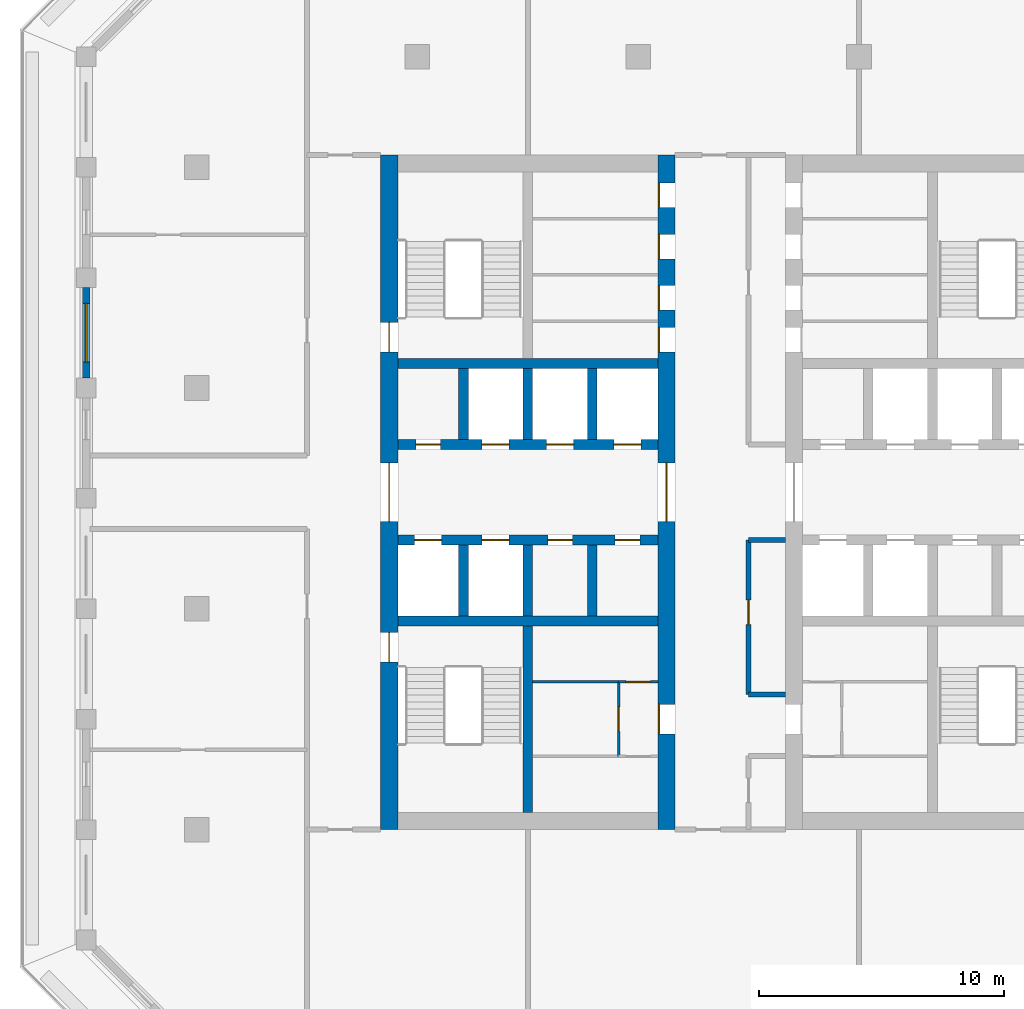
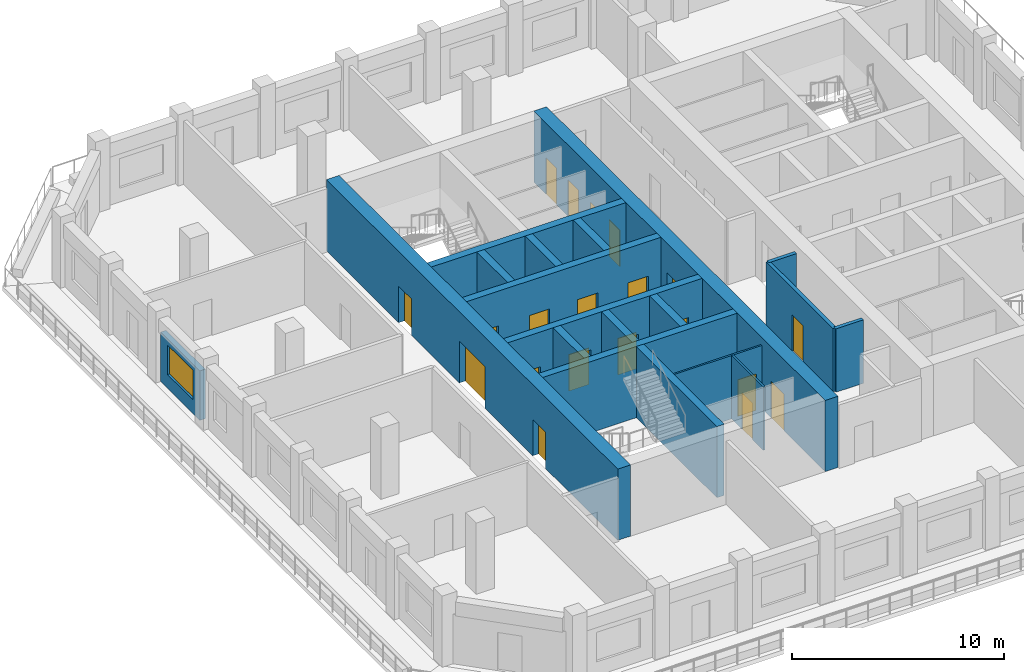
# One storey, part 3 of 14: 20 doors, 20 walls, 1 window, 21 openings.
"""IFC4 building model written with IfcOpenShell, lengths in metres."""

from ifc_helpers import new_model, si_unit, direction, frame, frame_2d, origin, place, context, subcontext, project, spatial, rectangle, extrude, material, layer, layer_set, type_object, element, fill, save


model = new_model("IFC4")

# Units and contexts
model_context = context("Model", 3, precision=1e-05, world=origin(), true_north=direction((0.0, 1.0)))
body_context = subcontext(model_context, "Body", "Model", "MODEL_VIEW")
ifc_project = project(units=[si_unit("LENGTHUNIT", "METRE"), si_unit("AREAUNIT", "SQUARE_METRE"), si_unit("VOLUMEUNIT", "CUBIC_METRE"), si_unit("PLANEANGLEUNIT", "RADIAN"), si_unit("MASSUNIT", "GRAM", prefix="KILO")], contexts=[model_context])

# Site, building, storey
site_placement = place(None, origin())
site = spatial("IfcSite", under=ifc_project, at=site_placement, CompositionType="ELEMENT")
building_placement = place(site_placement, origin())
building = spatial("IfcBuilding", under=site, at=building_placement, Name="Corbel Stack Research Tower", CompositionType="ELEMENT")
storey_placement = place(building_placement, frame((0.0, 0.0, 270.39990234375)))
storey = spatial("IfcBuildingStorey", under=building, at=storey_placement, Name="L61", CompositionType="ELEMENT", Elevation=270.39990234375)

# Wall
ifc_material_1 = material(Name="Concrete C60/75", Category="concrete")
ifc_layer_1 = layer(ifc_material_1, 0.39990234375)
ifc_layer_set_1 = layer_set([ifc_layer_1], Name="Concrete C60/75")
wall_type_1 = type_object("IfcWallType", Name="CW-400-60", PredefinedType="SHEAR", material=ifc_layer_set_1)
wall_1_placement = place(storey_placement, frame((-9.800048828125, -0.5, 0.0), z_axis=(0.0, 0.0, 1.0), x_axis=(1.0, 0.0, 0.0)))
element("IfcWall", 1, at=wall_1_placement, inside=storey, type_object=wall_type_1, Name="West core wall, south row back L61", PredefinedType="SHEAR", context=body_context, shape_type="SweptSolid", body=[
    extrude(rectangle(XDim=10.60009765625, YDim=0.39990234375, at=frame_2d((5.300048828125, 0.0))), origin(), (0.0, 0.0, 1.0), 4.10009765625),
])

# Wall, openings, doors
wall_2_placement = place(storey_placement, frame((-9.800048828125, 2.800048828125, 0.0), z_axis=(0.0, 0.0, 1.0), x_axis=(1.0, 0.0, 0.0)))
wall_2 = element("IfcWall", 2, at=wall_2_placement, inside=storey, type_object=wall_type_1, Name="West core wall, lobby south L61", PredefinedType="SHEAR", context=body_context, shape_type="SweptSolid", body=[
    extrude(rectangle(XDim=10.60009765625, YDim=0.39990234375, at=frame_2d((5.300048828125, 0.0))), origin(), (0.0, 0.0, 1.0), 4.10009765625),
])
opening_1_placement = place(wall_2_placement, frame((0.6875, 0.0, 0.0)))
opening_1 = element("IfcOpeningElement", 3, at=opening_1_placement, cuts=wall_2, Name="Opening LD-FS1", PredefinedType="OPENING", context=body_context, shape_type="SweptSolid", body=[
    extrude(rectangle(XDim=1.10009765625, YDim=2.10009765625, at=frame_2d((0.550048828125, 1.050048828125))), frame((0.0, 0.2099609375, 0.0), z_axis=(0.0, -1.0, 0.0), x_axis=(1.0, 0.0, 0.0)), (0.0, 0.0, 1.0), 0.419921875),
])
opening_2_placement = place(wall_2_placement, frame((3.4375, 0.0, 0.0)))
opening_2 = element("IfcOpeningElement", 4, at=opening_2_placement, cuts=wall_2, Name="Opening LD-GL1", PredefinedType="OPENING", context=body_context, shape_type="SweptSolid", body=[
    extrude(rectangle(XDim=1.10009765625, YDim=2.10009765625, at=frame_2d((0.550048828125, 1.050048828125))), frame((0.0, 0.2099609375, 0.0), z_axis=(0.0, -1.0, 0.0), x_axis=(1.0, 0.0, 0.0)), (0.0, 0.0, 1.0), 0.419921875),
])
opening_3_placement = place(wall_2_placement, frame((6.112548828125, 0.0, 0.0)))
opening_3 = element("IfcOpeningElement", 5, at=opening_3_placement, cuts=wall_2, Name="Opening CR-W36-S3", PredefinedType="OPENING", context=body_context, shape_type="SweptSolid", body=[
    extrude(rectangle(XDim=1.0, YDim=2.10009765625, at=frame_2d((0.5, 1.050048828125))), frame((0.0, 0.2099609375, 0.0), z_axis=(0.0, -1.0, 0.0), x_axis=(1.0, 0.0, 0.0)), (0.0, 0.0, 1.0), 0.419921875),
])
opening_4_placement = place(wall_2_placement, frame((8.862548828125, 0.0, 0.0)))
opening_4 = element("IfcOpeningElement", 6, at=opening_4_placement, cuts=wall_2, Name="Opening CR-W36-S4", PredefinedType="OPENING", context=body_context, shape_type="SweptSolid", body=[
    extrude(rectangle(XDim=1.0, YDim=2.10009765625, at=frame_2d((0.5, 1.050048828125))), frame((0.0, 0.2099609375, 0.0), z_axis=(0.0, -1.0, 0.0), x_axis=(1.0, 0.0, 0.0)), (0.0, 0.0, 1.0), 0.419921875),
])
ifc_material_2 = material(Name="Stainless steel landing door", Category="steel")
door_type_1 = type_object("IfcDoorType", Name="Lift landing door 1100 x 2100", OperationType="DOUBLE_DOOR_SLIDING", PredefinedType="DOOR", material=ifc_material_2)
door_1_placement = place(opening_1_placement, origin())
door_1 = element("IfcDoor", 7, at=door_1_placement, inside=storey, type_object=door_type_1, Name="Landing door FS1", OperationType="DOUBLE_DOOR_SLIDING", OverallHeight=2.10009765625, OverallWidth=1.10009765625, PredefinedType="DOOR", context=body_context, shape_type="SweptSolid", body=[
    extrude(rectangle(XDim=1.10009765625, YDim=2.10009765625, at=frame_2d((0.550048828125, 1.050048828125))), frame((0.0, 0.02490234375, 0.0), z_axis=(0.0, -1.0, 0.0), x_axis=(1.0, 0.0, 0.0)), (0.0, 0.0, 1.0), 0.050048828125),
])
fill(opening_1, door_1)
door_2_placement = place(opening_2_placement, origin())
door_2 = element("IfcDoor", 8, at=door_2_placement, inside=storey, type_object=door_type_1, Name="Landing door GL1", OperationType="DOUBLE_DOOR_SLIDING", OverallHeight=2.10009765625, OverallWidth=1.10009765625, PredefinedType="DOOR", context=body_context, shape_type="SweptSolid", body=[
    extrude(rectangle(XDim=1.10009765625, YDim=2.10009765625, at=frame_2d((0.550048828125, 1.050048828125))), frame((0.0, 0.02490234375, 0.0), z_axis=(0.0, -1.0, 0.0), x_axis=(1.0, 0.0, 0.0)), (0.0, 0.0, 1.0), 0.050048828125),
])
fill(opening_2, door_2)
ifc_material_3 = material(Name="Painted steel door", Category="steel")
door_type_2 = type_object("IfcDoorType", Name="Service door 1000 x 2100 FD60 left hand", OperationType="SINGLE_SWING_LEFT", PredefinedType="DOOR", material=ifc_material_3)
door_3_placement = place(opening_3_placement, origin())
door_3 = element("IfcDoor", 9, at=door_3_placement, inside=storey, type_object=door_type_2, Name="Staff WC door W core", OperationType="SINGLE_SWING_LEFT", OverallHeight=2.10009765625, OverallWidth=1.0, PredefinedType="DOOR", context=body_context, shape_type="SweptSolid", body=[
    extrude(rectangle(XDim=1.0, YDim=2.10009765625, at=frame_2d((0.5, 1.050048828125))), frame((0.0, 0.02490234375, 0.0), z_axis=(0.0, -1.0, 0.0), x_axis=(1.0, 0.0, 0.0)), (0.0, 0.0, 1.0), 0.050048828125),
])
fill(opening_3, door_3)
ifc_material_4 = material(Name="Painted steel door", Category="steel")
door_type_3 = type_object("IfcDoorType", Name="Service door 1000 x 2100 FD60 right hand", OperationType="SINGLE_SWING_RIGHT", PredefinedType="DOOR", material=ifc_material_4)
door_4_placement = place(opening_4_placement, origin())
door_4 = element("IfcDoor", 10, at=door_4_placement, inside=storey, type_object=door_type_3, Name="Laboratory consumables store door W core", OperationType="SINGLE_SWING_RIGHT", OverallHeight=2.10009765625, OverallWidth=1.0, PredefinedType="DOOR", context=body_context, shape_type="SweptSolid", body=[
    extrude(rectangle(XDim=1.0, YDim=2.10009765625, at=frame_2d((0.5, 1.050048828125))), frame((0.0, 0.02490234375, 0.0), z_axis=(0.0, -1.0, 0.0), x_axis=(1.0, 0.0, 0.0)), (0.0, 0.0, 1.0), 0.050048828125),
])
fill(opening_4, door_4)

wall_3_placement = place(storey_placement, frame((-9.800048828125, 6.699951171875, 0.0), z_axis=(0.0, 0.0, 1.0), x_axis=(1.0, 0.0, 0.0)))
wall_3 = element("IfcWall", 11, at=wall_3_placement, inside=storey, type_object=wall_type_1, Name="West core wall, lobby north L61", PredefinedType="SHEAR", context=body_context, shape_type="SweptSolid", body=[
    extrude(rectangle(XDim=10.60009765625, YDim=0.39990234375, at=frame_2d((5.300048828125, 0.0))), origin(), (0.0, 0.0, 1.0), 4.10009765625),
])
opening_5_placement = place(wall_3_placement, frame((3.4375, 0.0, 0.0)))
opening_5 = element("IfcOpeningElement", 12, at=opening_5_placement, cuts=wall_3, Name="Opening LD-HR1", PredefinedType="OPENING", context=body_context, shape_type="SweptSolid", body=[
    extrude(rectangle(XDim=1.10009765625, YDim=2.10009765625, at=frame_2d((0.550048828125, 1.050048828125))), frame((0.0, 0.2099609375, 0.0), z_axis=(0.0, -1.0, 0.0), x_axis=(1.0, 0.0, 0.0)), (0.0, 0.0, 1.0), 0.419921875),
])
opening_6_placement = place(wall_3_placement, frame((6.0625, 0.0, 0.0)))
opening_6 = element("IfcOpeningElement", 13, at=opening_6_placement, cuts=wall_3, Name="Opening LD-HR2", PredefinedType="OPENING", context=body_context, shape_type="SweptSolid", body=[
    extrude(rectangle(XDim=1.10009765625, YDim=2.10009765625, at=frame_2d((0.550048828125, 1.050048828125))), frame((0.0, 0.2099609375, 0.0), z_axis=(0.0, -1.0, 0.0), x_axis=(1.0, 0.0, 0.0)), (0.0, 0.0, 1.0), 0.419921875),
])
opening_7_placement = place(wall_3_placement, frame((8.8125, 0.0, 0.0)))
opening_7 = element("IfcOpeningElement", 14, at=opening_7_placement, cuts=wall_3, Name="Opening LD-HR3", PredefinedType="OPENING", context=body_context, shape_type="SweptSolid", body=[
    extrude(rectangle(XDim=1.10009765625, YDim=2.10009765625, at=frame_2d((0.550048828125, 1.050048828125))), frame((0.0, 0.2099609375, 0.0), z_axis=(0.0, -1.0, 0.0), x_axis=(1.0, 0.0, 0.0)), (0.0, 0.0, 1.0), 0.419921875),
])
opening_8_placement = place(wall_3_placement, frame((0.737548828125, 0.0, 0.0)))
opening_8 = element("IfcOpeningElement", 15, at=opening_8_placement, cuts=wall_3, Name="Opening CR-W36-N1", PredefinedType="OPENING", context=body_context, shape_type="SweptSolid", body=[
    extrude(rectangle(XDim=1.0, YDim=2.10009765625, at=frame_2d((0.5, 1.050048828125))), frame((0.0, 0.2099609375, 0.0), z_axis=(0.0, -1.0, 0.0), x_axis=(1.0, 0.0, 0.0)), (0.0, 0.0, 1.0), 0.419921875),
])
door_5_placement = place(opening_5_placement, origin())
door_5 = element("IfcDoor", 16, at=door_5_placement, inside=storey, type_object=door_type_1, Name="Landing door HR1", OperationType="DOUBLE_DOOR_SLIDING", OverallHeight=2.10009765625, OverallWidth=1.10009765625, PredefinedType="DOOR", context=body_context, shape_type="SweptSolid", body=[
    extrude(rectangle(XDim=1.10009765625, YDim=2.10009765625, at=frame_2d((0.550048828125, 1.050048828125))), frame((0.0, 0.02490234375, 0.0), z_axis=(0.0, -1.0, 0.0), x_axis=(1.0, 0.0, 0.0)), (0.0, 0.0, 1.0), 0.050048828125),
])
fill(opening_5, door_5)
door_6_placement = place(opening_6_placement, origin())
door_6 = element("IfcDoor", 17, at=door_6_placement, inside=storey, type_object=door_type_1, Name="Landing door HR2", OperationType="DOUBLE_DOOR_SLIDING", OverallHeight=2.10009765625, OverallWidth=1.10009765625, PredefinedType="DOOR", context=body_context, shape_type="SweptSolid", body=[
    extrude(rectangle(XDim=1.10009765625, YDim=2.10009765625, at=frame_2d((0.550048828125, 1.050048828125))), frame((0.0, 0.02490234375, 0.0), z_axis=(0.0, -1.0, 0.0), x_axis=(1.0, 0.0, 0.0)), (0.0, 0.0, 1.0), 0.050048828125),
])
fill(opening_6, door_6)
door_7_placement = place(opening_7_placement, origin())
door_7 = element("IfcDoor", 18, at=door_7_placement, inside=storey, type_object=door_type_1, Name="Landing door HR3", OperationType="DOUBLE_DOOR_SLIDING", OverallHeight=2.10009765625, OverallWidth=1.10009765625, PredefinedType="DOOR", context=body_context, shape_type="SweptSolid", body=[
    extrude(rectangle(XDim=1.10009765625, YDim=2.10009765625, at=frame_2d((0.550048828125, 1.050048828125))), frame((0.0, 0.02490234375, 0.0), z_axis=(0.0, -1.0, 0.0), x_axis=(1.0, 0.0, 0.0)), (0.0, 0.0, 1.0), 0.050048828125),
])
fill(opening_7, door_7)
door_8_placement = place(opening_8_placement, origin())
door_8 = element("IfcDoor", 19, at=door_8_placement, inside=storey, type_object=door_type_2, Name="Cleaner's store door W core", OperationType="SINGLE_SWING_LEFT", OverallHeight=2.10009765625, OverallWidth=1.0, PredefinedType="DOOR", context=body_context, shape_type="SweptSolid", body=[
    extrude(rectangle(XDim=1.0, YDim=2.10009765625, at=frame_2d((0.5, 1.050048828125))), frame((0.0, 0.02490234375, 0.0), z_axis=(0.0, -1.0, 0.0), x_axis=(1.0, 0.0, 0.0)), (0.0, 0.0, 1.0), 0.050048828125),
])
fill(opening_8, door_8)

# Walls
wall_4_placement = place(storey_placement, frame((-9.800048828125, 10.0, 0.0), z_axis=(0.0, 0.0, 1.0), x_axis=(1.0, 0.0, 0.0)))
element("IfcWall", 20, at=wall_4_placement, inside=storey, type_object=wall_type_1, Name="West core wall, north row back L61", PredefinedType="SHEAR", context=body_context, shape_type="SweptSolid", body=[
    extrude(rectangle(XDim=10.60009765625, YDim=0.39990234375, at=frame_2d((5.300048828125, 0.0))), origin(), (0.0, 0.0, 1.0), 4.10009765625),
])
for number, where, z_axis, x_axis, name in (
    (21, (-7.125, -0.300048828125, 0.0), (0.0, 0.0, 1.0), (0.0, 1.0, 0.0), "West core wall, south shaft 1 L61"),
    (22, (-7.125, 6.89990234375, 0.0), (0.0, 0.0, 1.0), (0.0, 1.0, 0.0), "West core wall, north shaft 1 L61"),
    (23, (-4.5, -0.300048828125, 0.0), (0.0, 0.0, 1.0), (0.0, 1.0, 0.0), "West core wall, south shaft 2 L61"),
    (24, (-4.5, 6.89990234375, 0.0), (0.0, 0.0, 1.0), (0.0, 1.0, 0.0), "West core wall, north shaft 2 L61"),
    (25, (-1.875, -0.300048828125, 0.0), (0.0, 0.0, 1.0), (0.0, 1.0, 0.0), "West core wall, south shaft 3 L61"),
    (26, (-1.875, 6.89990234375, 0.0), (0.0, 0.0, 1.0), (0.0, 1.0, 0.0), "West core wall, north shaft 3 L61"),
):
    element("IfcWall", number, at=place(storey_placement, frame(where, z_axis=z_axis, x_axis=x_axis)), inside=storey, type_object=wall_type_1, Name=name, PredefinedType="SHEAR", context=body_context, shape_type="SweptSolid", body=[
        extrude(rectangle(XDim=2.900146484375, YDim=0.39990234375, at=frame_2d((1.4501953125, 0.0))), origin(), (0.0, 0.0, 1.0), 4.10009765625),
    ])
wall_5_placement = place(storey_placement, frame((-4.5, -8.300048828125, 0.0), z_axis=(0.0, 0.0, 1.0), x_axis=(0.0, 1.0, 0.0)))
element("IfcWall", 27, at=wall_5_placement, inside=storey, type_object=wall_type_1, Name="West core wall, south stair and WC L61", PredefinedType="SHEAR", context=body_context, shape_type="SweptSolid", body=[
    extrude(rectangle(XDim=7.60009765625, YDim=0.39990234375, at=frame_2d((3.800048828125, 0.0))), origin(), (0.0, 0.0, 1.0), 4.10009765625),
])

# Wall, openings, doors
ifc_material_5 = material(Name="Concrete C60/75", Category="concrete")
ifc_layer_2 = layer(ifc_material_5, 0.699951171875)
ifc_layer_set_2 = layer_set([ifc_layer_2], Name="Concrete C60/75")
wall_type_2 = type_object("IfcWallType", Name="CW-700-60", PredefinedType="SHEAR", material=ifc_layer_set_2)
wall_6_placement = place(storey_placement, frame((-10.14990234375, -9.0, 0.0), z_axis=(0.0, 0.0, 1.0), x_axis=(0.0, 1.0, 0.0)))
wall_6 = element("IfcWall", 28, at=wall_6_placement, inside=storey, type_object=wall_type_2, Name="West core wall, west face L61", PredefinedType="SHEAR", context=body_context, shape_type="SweptSolid", body=[
    extrude(rectangle(XDim=27.5, YDim=0.699951171875, at=frame_2d((13.75, 0.0))), origin(), (0.0, 0.0, 1.0), 4.10009765625),
])
opening_9_placement = place(wall_6_placement, frame((12.550048828125, 0.0, 0.0)))
opening_9 = element("IfcOpeningElement", 29, at=opening_9_placement, cuts=wall_6, Name="Opening CD-W-W", PredefinedType="OPENING", context=body_context, shape_type="SweptSolid", body=[
    extrude(rectangle(XDim=2.39990234375, YDim=2.39990234375, at=frame_2d((1.199951171875, 1.199951171875))), frame((0.0, 0.35986328125, 0.0), z_axis=(0.0, -1.0, 0.0), x_axis=(1.0, 0.0, 0.0)), (0.0, 0.0, 1.0), 0.719970703125),
])
opening_10_placement = place(wall_6_placement, frame((6.824951171875, 0.0, 0.0)))
opening_10 = element("IfcOpeningElement", 30, at=opening_10_placement, cuts=wall_6, Name="Opening SD-ST-W1", PredefinedType="OPENING", context=body_context, shape_type="SweptSolid", body=[
    extrude(rectangle(XDim=1.199951171875, YDim=2.10009765625, at=frame_2d((0.60009765625, 1.050048828125))), frame((0.0, 0.35986328125, 0.0), z_axis=(0.0, -1.0, 0.0), x_axis=(1.0, 0.0, 0.0)), (0.0, 0.0, 1.0), 0.719970703125),
])
opening_11_placement = place(wall_6_placement, frame((19.47509765625, 0.0, 0.0)))
opening_11 = element("IfcOpeningElement", 31, at=opening_11_placement, cuts=wall_6, Name="Opening SD-ST-W2", PredefinedType="OPENING", context=body_context, shape_type="SweptSolid", body=[
    extrude(rectangle(XDim=1.199951171875, YDim=2.10009765625, at=frame_2d((0.60009765625, 1.050048828125))), frame((0.0, 0.35986328125, 0.0), z_axis=(0.0, -1.0, 0.0), x_axis=(1.0, 0.0, 0.0)), (0.0, 0.0, 1.0), 0.719970703125),
])
ifc_material_6 = material(Name="Painted steel fire door", Category="steel")
door_type_4 = type_object("IfcDoorType", Name="Lobby door pair 2400 x 2400 FD30S", OperationType="DOUBLE_DOOR_DOUBLE_SWING", PredefinedType="DOOR", material=ifc_material_6)
door_9_placement = place(opening_9_placement, origin())
door_9 = element("IfcDoor", 32, at=door_9_placement, inside=storey, type_object=door_type_4, Name="Lift lobby door W core W", OperationType="DOUBLE_DOOR_DOUBLE_SWING", OverallHeight=2.39990234375, OverallWidth=2.39990234375, PredefinedType="DOOR", context=body_context, shape_type="SweptSolid", body=[
    extrude(rectangle(XDim=2.39990234375, YDim=2.39990234375, at=frame_2d((1.199951171875, 1.199951171875))), frame((0.0, 0.02490234375, 0.0), z_axis=(0.0, -1.0, 0.0), x_axis=(1.0, 0.0, 0.0)), (0.0, 0.0, 1.0), 0.050048828125),
])
fill(opening_9, door_9)
ifc_material_7 = material(Name="Painted steel fire door", Category="steel")
door_type_5 = type_object("IfcDoorType", Name="Stair door 1200 x 2100 FD90 left hand", OperationType="SINGLE_SWING_LEFT", PredefinedType="DOOR", material=ifc_material_7)
door_10_placement = place(opening_10_placement, origin())
door_10 = element("IfcDoor", 33, at=door_10_placement, inside=storey, type_object=door_type_5, Name="Stair door ST-W1", OperationType="SINGLE_SWING_LEFT", OverallHeight=2.10009765625, OverallWidth=1.199951171875, PredefinedType="DOOR", context=body_context, shape_type="SweptSolid", body=[
    extrude(rectangle(XDim=1.199951171875, YDim=2.10009765625, at=frame_2d((0.60009765625, 1.050048828125))), frame((0.0, 0.02490234375, 0.0), z_axis=(0.0, -1.0, 0.0), x_axis=(1.0, 0.0, 0.0)), (0.0, 0.0, 1.0), 0.050048828125),
])
fill(opening_10, door_10)
door_11_placement = place(opening_11_placement, origin())
door_11 = element("IfcDoor", 34, at=door_11_placement, inside=storey, type_object=door_type_5, Name="Stair door ST-W2", OperationType="SINGLE_SWING_LEFT", OverallHeight=2.10009765625, OverallWidth=1.199951171875, PredefinedType="DOOR", context=body_context, shape_type="SweptSolid", body=[
    extrude(rectangle(XDim=1.199951171875, YDim=2.10009765625, at=frame_2d((0.60009765625, 1.050048828125))), frame((0.0, 0.02490234375, 0.0), z_axis=(0.0, -1.0, 0.0), x_axis=(1.0, 0.0, 0.0)), (0.0, 0.0, 1.0), 0.050048828125),
])
fill(opening_11, door_11)

wall_7_placement = place(storey_placement, frame((1.14990234375, -9.0, 0.0), z_axis=(0.0, 0.0, 1.0), x_axis=(0.0, 1.0, 0.0)))
wall_7 = element("IfcWall", 35, at=wall_7_placement, inside=storey, type_object=wall_type_2, Name="West core wall, east face L61", PredefinedType="SHEAR", context=body_context, shape_type="SweptSolid", body=[
    extrude(rectangle(XDim=27.5, YDim=0.699951171875, at=frame_2d((13.75, 0.0))), origin(), (0.0, 0.0, 1.0), 4.10009765625),
])
opening_12_placement = place(wall_7_placement, frame((12.550048828125, 0.0, 0.0)))
opening_12 = element("IfcOpeningElement", 36, at=opening_12_placement, cuts=wall_7, Name="Opening CD-W-E", PredefinedType="OPENING", context=body_context, shape_type="SweptSolid", body=[
    extrude(rectangle(XDim=2.39990234375, YDim=2.39990234375, at=frame_2d((1.199951171875, 1.199951171875))), frame((0.0, 0.35986328125, 0.0), z_axis=(0.0, -1.0, 0.0), x_axis=(1.0, 0.0, 0.0)), (0.0, 0.0, 1.0), 0.719970703125),
])
opening_13_placement = place(wall_7_placement, frame((3.89990234375, 0.0, 0.0)))
opening_13 = element("IfcOpeningElement", 37, at=opening_13_placement, cuts=wall_7, Name="Opening CR-W36-W1-1200", PredefinedType="OPENING", context=body_context, shape_type="SweptSolid", body=[
    extrude(rectangle(XDim=1.199951171875, YDim=2.10009765625, at=frame_2d((0.60009765625, 1.050048828125))), frame((0.0, 0.35986328125, 0.0), z_axis=(0.0, -1.0, 0.0), x_axis=(1.0, 0.0, 0.0)), (0.0, 0.0, 1.0), 0.719970703125),
])
opening_14_placement = place(wall_7_placement, frame((19.4599609375, 0.0, 0.0)))
opening_14 = element("IfcOpeningElement", 38, at=opening_14_placement, cuts=wall_7, Name="Opening CR-W36-R1-1000", PredefinedType="OPENING", context=body_context, shape_type="SweptSolid", body=[
    extrude(rectangle(XDim=1.0, YDim=2.10009765625, at=frame_2d((0.5, 1.050048828125))), frame((0.0, 0.35986328125, 0.0), z_axis=(0.0, -1.0, 0.0), x_axis=(1.0, 0.0, 0.0)), (0.0, 0.0, 1.0), 0.719970703125),
])
opening_15_placement = place(wall_7_placement, frame((21.169921875, 0.0, 0.0)))
opening_15 = element("IfcOpeningElement", 39, at=opening_15_placement, cuts=wall_7, Name="Opening CR-W36-R2-1000", PredefinedType="OPENING", context=body_context, shape_type="SweptSolid", body=[
    extrude(rectangle(XDim=1.0, YDim=2.10009765625, at=frame_2d((0.5, 1.050048828125))), frame((0.0, 0.35986328125, 0.0), z_axis=(0.0, -1.0, 0.0), x_axis=(1.0, 0.0, 0.0)), (0.0, 0.0, 1.0), 0.719970703125),
])
opening_16_placement = place(wall_7_placement, frame((23.260009765625, 0.0, 0.0)))
opening_16 = element("IfcOpeningElement", 40, at=opening_16_placement, cuts=wall_7, Name="Opening CR-W36-R3-1000", PredefinedType="OPENING", context=body_context, shape_type="SweptSolid", body=[
    extrude(rectangle(XDim=1.0, YDim=2.10009765625, at=frame_2d((0.5, 1.050048828125))), frame((0.0, 0.35986328125, 0.0), z_axis=(0.0, -1.0, 0.0), x_axis=(1.0, 0.0, 0.0)), (0.0, 0.0, 1.0), 0.719970703125),
])
opening_17_placement = place(wall_7_placement, frame((25.35009765625, 0.0, 0.0)))
opening_17 = element("IfcOpeningElement", 41, at=opening_17_placement, cuts=wall_7, Name="Opening CR-W36-R4-1000", PredefinedType="OPENING", context=body_context, shape_type="SweptSolid", body=[
    extrude(rectangle(XDim=1.0, YDim=2.10009765625, at=frame_2d((0.5, 1.050048828125))), frame((0.0, 0.35986328125, 0.0), z_axis=(0.0, -1.0, 0.0), x_axis=(1.0, 0.0, 0.0)), (0.0, 0.0, 1.0), 0.719970703125),
])
door_12_placement = place(opening_12_placement, origin())
door_12 = element("IfcDoor", 42, at=door_12_placement, inside=storey, type_object=door_type_4, Name="Lift lobby door W core E", OperationType="DOUBLE_DOOR_DOUBLE_SWING", OverallHeight=2.39990234375, OverallWidth=2.39990234375, PredefinedType="DOOR", context=body_context, shape_type="SweptSolid", body=[
    extrude(rectangle(XDim=2.39990234375, YDim=2.39990234375, at=frame_2d((1.199951171875, 1.199951171875))), frame((0.0, 0.02490234375, 0.0), z_axis=(0.0, -1.0, 0.0), x_axis=(1.0, 0.0, 0.0)), (0.0, 0.0, 1.0), 0.050048828125),
])
fill(opening_12, door_12)
ifc_material_8 = material(Name="Painted steel door", Category="steel")
door_type_6 = type_object("IfcDoorType", Name="Riser door 1000 x 2100 FD60 left hand", OperationType="SINGLE_SWING_LEFT", PredefinedType="DOOR", material=ifc_material_8)
door_13_placement = place(opening_14_placement, origin())
door_13 = element("IfcDoor", 43, at=door_13_placement, inside=storey, type_object=door_type_6, Name="Electrical riser door W core", OperationType="SINGLE_SWING_LEFT", OverallHeight=2.10009765625, OverallWidth=1.0, PredefinedType="DOOR", context=body_context, shape_type="SweptSolid", body=[
    extrude(rectangle(XDim=1.0, YDim=2.10009765625, at=frame_2d((0.5, 1.050048828125))), frame((0.0, 0.3251953125, 0.0), z_axis=(0.0, -1.0, 0.0), x_axis=(1.0, 0.0, 0.0)), (0.0, 0.0, 1.0), 0.050048828125),
])
fill(opening_14, door_13)
ifc_material_9 = material(Name="Painted steel door", Category="steel")
door_type_7 = type_object("IfcDoorType", Name="Riser door 1000 x 2100 FD60 right hand", OperationType="SINGLE_SWING_RIGHT", PredefinedType="DOOR", material=ifc_material_9)
door_14_placement = place(opening_15_placement, origin())
door_14 = element("IfcDoor", 44, at=door_14_placement, inside=storey, type_object=door_type_7, Name="Telecom room door W core", OperationType="SINGLE_SWING_RIGHT", OverallHeight=2.10009765625, OverallWidth=1.0, PredefinedType="DOOR", context=body_context, shape_type="SweptSolid", body=[
    extrude(rectangle(XDim=1.0, YDim=2.10009765625, at=frame_2d((0.5, 1.050048828125))), frame((0.0, 0.3251953125, 0.0), z_axis=(0.0, -1.0, 0.0), x_axis=(1.0, 0.0, 0.0)), (0.0, 0.0, 1.0), 0.050048828125),
])
fill(opening_15, door_14)
ifc_material_10 = material(Name="Painted steel door", Category="steel")
door_type_8 = type_object("IfcDoorType", Name="Service door 1000 x 2100 FD30 left hand", OperationType="SINGLE_SWING_LEFT", PredefinedType="DOOR", material=ifc_material_10)
door_15_placement = place(opening_16_placement, origin())
door_15 = element("IfcDoor", 45, at=door_15_placement, inside=storey, type_object=door_type_8, Name="Pantry door W core", OperationType="SINGLE_SWING_LEFT", OverallHeight=2.10009765625, OverallWidth=1.0, PredefinedType="DOOR", context=body_context, shape_type="SweptSolid", body=[
    extrude(rectangle(XDim=1.0, YDim=2.10009765625, at=frame_2d((0.5, 1.050048828125))), frame((0.0, 0.3251953125, 0.0), z_axis=(0.0, -1.0, 0.0), x_axis=(1.0, 0.0, 0.0)), (0.0, 0.0, 1.0), 0.050048828125),
])
fill(opening_16, door_15)
ifc_material_11 = material(Name="Painted steel door", Category="steel")
door_type_9 = type_object("IfcDoorType", Name="Service door 1000 x 2100 FD30 right hand", OperationType="SINGLE_SWING_RIGHT", PredefinedType="DOOR", material=ifc_material_11)
door_16_placement = place(opening_17_placement, origin())
door_16 = element("IfcDoor", 46, at=door_16_placement, inside=storey, type_object=door_type_9, Name="Cleaner's store door W core", OperationType="SINGLE_SWING_RIGHT", OverallHeight=2.10009765625, OverallWidth=1.0, PredefinedType="DOOR", context=body_context, shape_type="SweptSolid", body=[
    extrude(rectangle(XDim=1.0, YDim=2.10009765625, at=frame_2d((0.5, 1.050048828125))), frame((0.0, 0.3251953125, 0.0), z_axis=(0.0, -1.0, 0.0), x_axis=(1.0, 0.0, 0.0)), (0.0, 0.0, 1.0), 0.050048828125),
])
fill(opening_17, door_16)
ifc_material_12 = material(Name="Painted timber door", Category="wood")
door_type_10 = type_object("IfcDoorType", Name="WC door 1200 x 2100 left hand", OperationType="SINGLE_SWING_LEFT", PredefinedType="DOOR", material=ifc_material_12)
door_17_placement = place(opening_13_placement, origin())
door_17 = element("IfcDoor", 47, at=door_17_placement, inside=storey, type_object=door_type_10, Name="WC lobby door W core", OperationType="SINGLE_SWING_LEFT", OverallHeight=2.10009765625, OverallWidth=1.199951171875, PredefinedType="DOOR", context=body_context, shape_type="SweptSolid", body=[
    extrude(rectangle(XDim=1.199951171875, YDim=2.10009765625, at=frame_2d((0.60009765625, 1.050048828125))), frame((0.0, 0.3251953125, 0.0), z_axis=(0.0, -1.0, 0.0), x_axis=(1.0, 0.0, 0.0)), (0.0, 0.0, 1.0), 0.050048828125),
])
fill(opening_13, door_17)

# Wall, opening, door
ifc_material_13 = material(Name="Gypsum board")
ifc_layer_3 = layer(ifc_material_13, 0.10009765625)
ifc_layer_set_3 = layer_set([ifc_layer_3], Name="Gypsum board")
wall_type_3 = type_object("IfcWallType", Name="Core partition 100", PredefinedType="PARTITIONING", material=ifc_layer_set_3)
wall_8_placement = place(storey_placement, frame((-0.800048828125, -2.97998046875, 0.0), z_axis=(0.0, 0.0, 1.0), x_axis=(1.0, 0.0, 0.0)))
wall_8 = element("IfcWall", 48, at=wall_8_placement, inside=storey, type_object=wall_type_3, Name="Core partition W", PredefinedType="PARTITIONING", context=body_context, shape_type="SweptSolid", body=[
    extrude(rectangle(XDim=1.60009765625, YDim=0.10009765625, at=frame_2d((0.800048828125, 0.0))), origin(), (0.0, 0.0, 1.0), 3.650146484375),
])
opening_18_placement = place(wall_8_placement, frame((0.300048828125, 0.0, 0.0)))
opening_18 = element("IfcOpeningElement", 49, at=opening_18_placement, cuts=wall_8, Name="Opening CR-W36-W3-1000", PredefinedType="OPENING", context=body_context, shape_type="SweptSolid", body=[
    extrude(rectangle(XDim=1.0, YDim=2.10009765625, at=frame_2d((0.5, 1.050048828125))), frame((0.0, 0.06005859375, 0.0), z_axis=(0.0, -1.0, 0.0), x_axis=(1.0, 0.0, 0.0)), (0.0, 0.0, 1.0), 0.1201171875),
])
ifc_material_14 = material(Name="Painted timber door", Category="wood")
door_type_11 = type_object("IfcDoorType", Name="WC door 1000 x 2100 left hand", OperationType="SINGLE_SWING_LEFT", PredefinedType="DOOR", material=ifc_material_14)
door_18_placement = place(opening_18_placement, origin())
door_18 = element("IfcDoor", 50, at=door_18_placement, inside=storey, type_object=door_type_11, Name="Women's WC door W core", OperationType="SINGLE_SWING_LEFT", OverallHeight=2.10009765625, OverallWidth=1.0, PredefinedType="DOOR", context=body_context, shape_type="SweptSolid", body=[
    extrude(rectangle(XDim=1.0, YDim=2.10009765625, at=frame_2d((0.5, 1.050048828125))), frame((0.0, 0.02490234375, 0.0), z_axis=(0.0, -1.0, 0.0), x_axis=(1.0, 0.0, 0.0)), (0.0, 0.0, 1.0), 0.050048828125),
])
fill(opening_18, door_18)

wall_9_placement = place(storey_placement, frame((-0.800048828125, -6.02001953125, 0.0), z_axis=(0.0, 0.0, 1.0), x_axis=(0.0, 1.0, 0.0)))
wall_9 = element("IfcWall", 51, at=wall_9_placement, inside=storey, type_object=wall_type_3, Name="Core partition W", PredefinedType="PARTITIONING", context=body_context, shape_type="SweptSolid", body=[
    extrude(rectangle(XDim=3.0400390625, YDim=0.10009765625, at=frame_2d((1.52001953125, 0.0))), origin(), (0.0, 0.0, 1.0), 3.650146484375),
])
opening_19_placement = place(wall_9_placement, frame((1.02001953125, 0.0, 0.0)))
opening_19 = element("IfcOpeningElement", 52, at=opening_19_placement, cuts=wall_9, Name="Opening CR-W36-W4-1000", PredefinedType="OPENING", context=body_context, shape_type="SweptSolid", body=[
    extrude(rectangle(XDim=1.0, YDim=2.10009765625, at=frame_2d((0.5, 1.050048828125))), frame((0.0, 0.06005859375, 0.0), z_axis=(0.0, -1.0, 0.0), x_axis=(1.0, 0.0, 0.0)), (0.0, 0.0, 1.0), 0.1201171875),
])
ifc_material_15 = material(Name="Painted timber door", Category="wood")
door_type_12 = type_object("IfcDoorType", Name="WC door 1000 x 2100 right hand", OperationType="SINGLE_SWING_RIGHT", PredefinedType="DOOR", material=ifc_material_15)
door_19_placement = place(opening_19_placement, origin())
door_19 = element("IfcDoor", 53, at=door_19_placement, inside=storey, type_object=door_type_12, Name="Accessible WC door W core", OperationType="SINGLE_SWING_RIGHT", OverallHeight=2.10009765625, OverallWidth=1.0, PredefinedType="DOOR", context=body_context, shape_type="SweptSolid", body=[
    extrude(rectangle(XDim=1.0, YDim=2.10009765625, at=frame_2d((0.5, 1.050048828125))), frame((0.0, 0.02490234375, 0.0), z_axis=(0.0, -1.0, 0.0), x_axis=(1.0, 0.0, 0.0)), (0.0, 0.0, 1.0), 0.050048828125),
])
fill(opening_19, door_19)

# Wall
wall_10_placement = place(storey_placement, frame((-4.300048828125, -2.97998046875, 0.0), z_axis=(0.0, 0.0, 1.0), x_axis=(1.0, 0.0, 0.0)))
element("IfcWall", 54, at=wall_10_placement, inside=storey, type_object=wall_type_3, Name="Core partition W", PredefinedType="PARTITIONING", context=body_context, shape_type="SweptSolid", body=[
    extrude(rectangle(XDim=3.5, YDim=0.10009765625, at=frame_2d((1.75, 0.0))), origin(), (0.0, 0.0, 1.0), 3.650146484375),
])

# Wall, opening, door
ifc_material_16 = material(Name="Fire-rated gypsum board partition on steel studs", Category="steel")
ifc_layer_4 = layer(ifc_material_16, 0.199951171875)
ifc_layer_set_4 = layer_set([ifc_layer_4], Name="Fire-rated gypsum board partition on steel studs")
wall_type_4 = type_object("IfcWallType", Name="Fire-rated partition 200 EI 60", PredefinedType="PARTITIONING", material=ifc_layer_set_4)
wall_11_placement = place(storey_placement, frame((4.5, 2.800048828125, 0.0), z_axis=(0.0, 0.0, 1.0), x_axis=(0.0, -1.0, 0.0)))
wall_11 = element("IfcWall", 55, at=wall_11_placement, inside=storey, type_object=wall_type_4, Name="Partition L61-006", PredefinedType="PARTITIONING", context=body_context, shape_type="SweptSolid", body=[
    extrude(rectangle(XDim=6.300048828125, YDim=0.199951171875, at=frame_2d((3.14990234375, 0.0))), origin(), (0.0, 0.0, 1.0), 3.650146484375),
])
opening_20_placement = place(wall_11_placement, frame((2.449951171875, 0.0, 0.0)))
opening_20 = element("IfcOpeningElement", 56, at=opening_20_placement, cuts=wall_11, Name="Opening B8V1-008", PredefinedType="OPENING", context=body_context, shape_type="SweptSolid", body=[
    extrude(rectangle(XDim=1.0, YDim=2.10009765625, at=frame_2d((0.5, 1.050048828125))), frame((0.0, 0.10986328125, 0.0), z_axis=(0.0, -1.0, 0.0), x_axis=(1.0, 0.0, 0.0)), (0.0, 0.0, 1.0), 0.219970703125),
])
ifc_material_17 = material(Name="Painted steel fire door", Category="steel")
door_type_13 = type_object("IfcDoorType", Name="Fire door FD30S 1000 x 2100", OperationType="NOTDEFINED", PredefinedType="DOOR", material=ifc_material_17)
door_20_placement = place(opening_20_placement, origin())
door_20 = element("IfcDoor", 57, at=door_20_placement, inside=storey, type_object=door_type_13, Name="Door B8V1-008", OperationType="SINGLE_SWING_LEFT", OverallHeight=2.10009765625, OverallWidth=1.0, PredefinedType="DOOR", context=body_context, shape_type="SweptSolid", body=[
    extrude(rectangle(XDim=1.0, YDim=2.10009765625, at=frame_2d((0.5, 1.050048828125))), frame((0.0, 0.02490234375, 0.0), z_axis=(0.0, -1.0, 0.0), x_axis=(1.0, 0.0, 0.0)), (0.0, 0.0, 1.0), 0.050048828125),
])
fill(opening_20, door_20)

# Walls
for number, where, z_axis, x_axis, name in (
    (58, (4.5, -3.5, 0.0), (0.0, 0.0, 1.0), (1.0, 0.0, 0.0), "Partition L61-016"),
    (59, (4.5, 2.800048828125, 0.0), (0.0, 0.0, 1.0), (1.0, 0.0, 0.0), "Partition L61-017"),
):
    element("IfcWall", number, at=place(storey_placement, frame(where, z_axis=z_axis, x_axis=x_axis)), inside=storey, type_object=wall_type_4, Name=name, PredefinedType="PARTITIONING", context=body_context, shape_type="SweptSolid", body=[
        extrude(rectangle(XDim=1.5, YDim=0.199951171875, at=frame_2d((0.75, 0.0))), origin(), (0.0, 0.0, 1.0), 3.650146484375),
    ])

# Wall, opening, window
ifc_material_18 = material(Name="Concrete C45/55", Category="concrete")
ifc_layer_5 = layer(ifc_material_18, 0.300048828125)
ifc_layer_set_5 = layer_set([ifc_layer_5], Name="Concrete C45/55")
wall_type_5 = type_object("IfcWallType", Name="Terracotta-faced concrete wall 300", PredefinedType="SOLIDWALL", material=ifc_layer_set_5)
wall_12_placement = place(storey_placement, frame((-22.5, 9.39990234375, 0.0), z_axis=(0.0, 0.0, 1.0), x_axis=(0.0, 1.0, 0.0)))
wall_12 = element("IfcWall", 60, at=wall_12_placement, inside=storey, type_object=wall_type_5, Name="Facade wall L61 W03", PredefinedType="SOLIDWALL", context=body_context, shape_type="SweptSolid", body=[
    extrude(rectangle(XDim=3.7001953125, YDim=0.300048828125, at=frame_2d((1.85009765625, 0.0))), origin(), (0.0, 0.0, 1.0), 2.85009765625),
])
opening_21_placement = place(wall_12_placement, frame((0.64990234375, 0.0, 0.800048828125)))
opening_21 = element("IfcOpeningElement", 61, at=opening_21_placement, cuts=wall_12, Name="Opening W1", PredefinedType="OPENING", context=body_context, shape_type="SweptSolid", body=[
    extrude(rectangle(XDim=2.39990234375, YDim=1.699951171875, at=frame_2d((1.199951171875, 0.85009765625))), frame((0.0, 0.159912109375, 0.0), z_axis=(0.0, -1.0, 0.0), x_axis=(1.0, 0.0, 0.0)), (0.0, 0.0, 1.0), 0.320068359375),
])
ifc_material_19 = material(Name="Aluminium frame, clear double glazing", Category="aluminium")
window_type = type_object("IfcWindowType", Name="Window W1 2400 x 1700", PartitioningType="SINGLE_PANEL", PredefinedType="WINDOW", material=ifc_material_19)
window_placement = place(opening_21_placement, origin())
window = element("IfcWindow", 62, at=window_placement, inside=storey, type_object=window_type, Name="Window W1 L61 W03", OverallHeight=1.699951171875, OverallWidth=2.39990234375, PartitioningType="SINGLE_PANEL", PredefinedType="WINDOW", context=body_context, shape_type="SweptSolid", body=[
    extrude(rectangle(XDim=2.39990234375, YDim=1.699951171875, at=frame_2d((1.199951171875, 0.85009765625))), frame((0.0, 0.030029296875, 0.0), z_axis=(0.0, -1.0, 0.0), x_axis=(1.0, 0.0, 0.0)), (0.0, 0.0, 1.0), 0.06005859375),
])
fill(opening_21, window)

save(model, "model.ifc")
